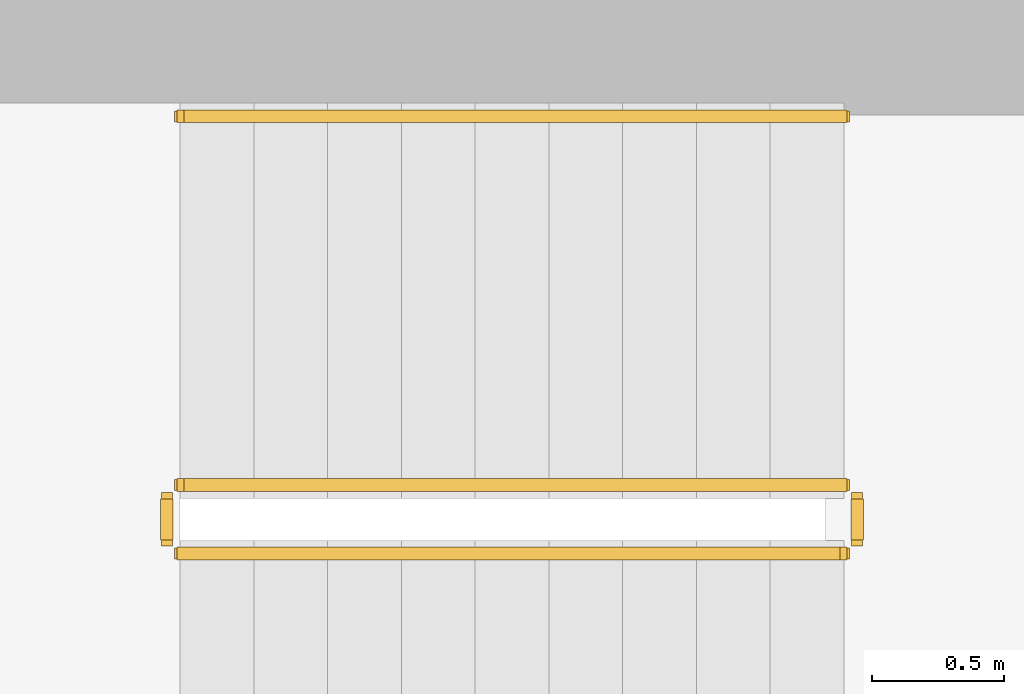
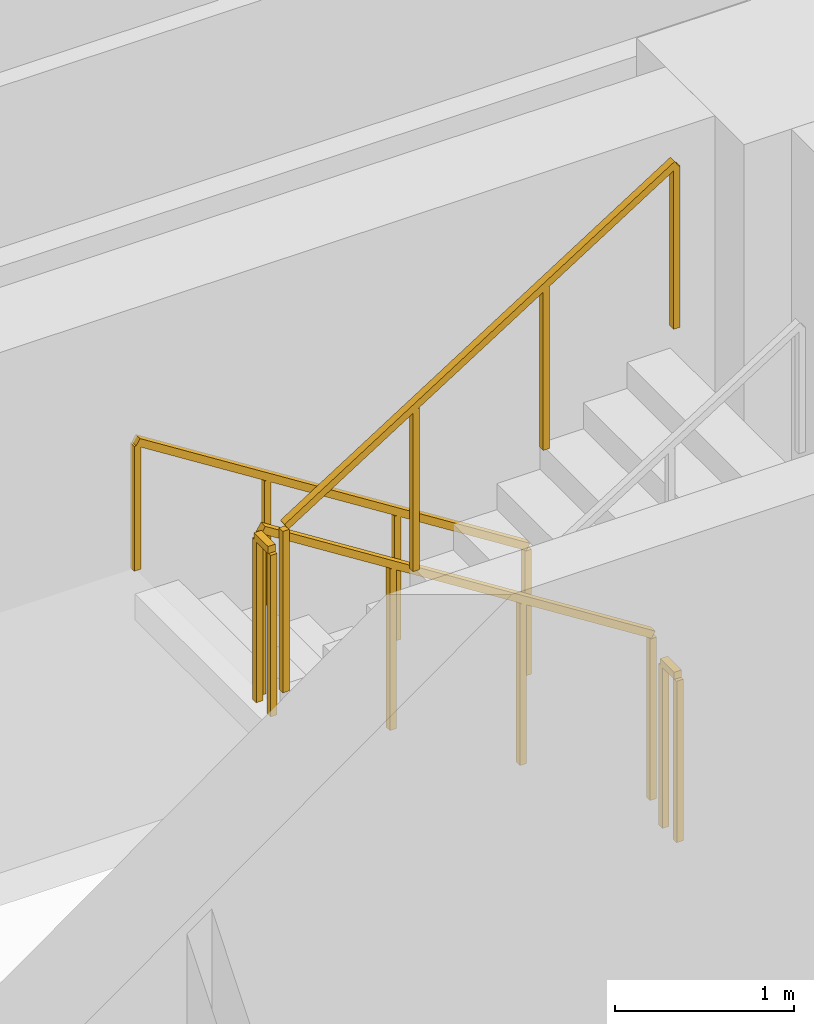
# One storey, part 11 of 12: 5 railings.
"""IFC4 building model written with IfcOpenShell, lengths in metres."""

import ifcopenshell
import ifcopenshell.guid

model = None  # the IFC model being written
_history = None  # IfcOwnerHistory: only IFC2X3 demands one
_inside = {}  # id of a spatial element -> (the spatial element, [elements in it])
_under = {}  # id of a project, library or spatial element -> (it, [spatial elements below it])
_declared = {}  # id of a project -> (the project, [libraries it declares])
_typed = {}  # id of a type object -> (the type object, [elements of that type])
_made_of = {}  # id of a material, layer set ... -> (it, [elements and type objects made of it])


def new_model(schema):
    """Start an empty IFC model of exactly this schema.

    Asked for "IFC4X3", IfcOpenShell would pick the latest addendum, in which some entities
    have other attributes; the version numbers below select the first issue.
    IFC2X3 requires an IfcOwnerHistory on every rooted entity: one is made here for all.
    """
    global model, _history
    if schema == "IFC4X3":
        model = ifcopenshell.file(schema_version=(4, 3, 0, 0))
    else:
        model = ifcopenshell.file(schema=schema)
    _inside.clear()
    _under.clear()
    _declared.clear()
    _typed.clear()
    _made_of.clear()
    _history = None
    if model.schema == "IFC2X3":
        org = make("IfcOrganization", Name="unknown")
        user = make(
            "IfcPersonAndOrganization",
            ThePerson=make("IfcPerson", FamilyName="unknown"),
            TheOrganization=org,
        )
        app = make(
            "IfcApplication",
            ApplicationDeveloper=org,
            Version="unknown",
            ApplicationFullName="unknown",
            ApplicationIdentifier="unknown",
        )
        _history = make(
            "IfcOwnerHistory",
            OwningUser=user,
            OwningApplication=app,
            ChangeAction="ADDED",
            CreationDate=0,
        )
    return model


def make(cls, **values):
    """One entity of the class cls with the attributes given. An attribute that is None is left unset."""
    return model.create_entity(
        cls, **{name: value for name, value in values.items() if value is not None}
    )


def rooted(cls, **values):
    """An entity with a GlobalId (a new one), such as an element, a storey or a relation."""
    return make(cls, GlobalId=ifcopenshell.guid.new(), OwnerHistory=_history, **values)


def si_unit(unit_type, name, prefix=None):
    """IfcSIUnit, for example si_unit("LENGTHUNIT", "METRE", prefix="MILLI")."""
    return make("IfcSIUnit", UnitType=unit_type, Prefix=prefix, Name=name)


def assignment(units):
    """IfcUnitAssignment: the units of a project."""
    return None if units is None else make("IfcUnitAssignment", Units=units)


def point(xyz):
    """IfcCartesianPoint."""
    return None if xyz is None else make("IfcCartesianPoint", Coordinates=xyz)


def direction(xyz):
    """IfcDirection."""
    return None if xyz is None else make("IfcDirection", DirectionRatios=xyz)


def frame(location, z_axis=None, x_axis=None):
    """IfcAxis2Placement3D, a coordinate frame: its origin and axes. An axis left out is left unset."""
    return make(
        "IfcAxis2Placement3D",
        Location=point(location),
        Axis=direction(z_axis),
        RefDirection=direction(x_axis),
    )


def frame_2d(location, x_axis=None):
    """IfcAxis2Placement2D, a coordinate frame in the plane: its origin and x axis."""
    return make(
        "IfcAxis2Placement2D", Location=point(location), RefDirection=direction(x_axis)
    )


def origin():
    """The frame at (0, 0, 0) with its axes left unset."""
    return frame((0.0, 0.0, 0.0))


def origin_2d():
    """The frame at (0, 0) in the plane with its x axis left unset."""
    return frame_2d((0.0, 0.0))


def place(relative_to, where):
    """IfcLocalPlacement: puts the frame where relative to a parent placement (None: the world)."""
    return make(
        "IfcLocalPlacement", PlacementRelTo=relative_to, RelativePlacement=where
    )


def context(
    kind, dimensions, precision=None, world=None, true_north=None, identifier=None
):
    """IfcGeometricRepresentationContext, for example the 3D "Model" context."""
    return make(
        "IfcGeometricRepresentationContext",
        ContextIdentifier=identifier,
        ContextType=kind,
        CoordinateSpaceDimension=dimensions,
        Precision=precision,
        WorldCoordinateSystem=world,
        TrueNorth=true_north,
    )


def subcontext(parent, identifier, kind, view, scale=None):
    """IfcGeometricRepresentationSubContext, for example "Body" below "Model"."""
    return make(
        "IfcGeometricRepresentationSubContext",
        ContextIdentifier=identifier,
        ContextType=kind,
        ParentContext=parent,
        TargetScale=scale,
        TargetView=view,
    )


def project(units=None, contexts=None):
    """IfcProject with its units and contexts."""
    return rooted(
        "IfcProject",
        Name="project",
        RepresentationContexts=contexts,
        UnitsInContext=assignment(units),
    )


def spatial(cls, under=None, at=None, **own):
    """A site, building, storey or space (cls), placed at a placement, below another one or the project."""
    s = rooted(cls, ObjectPlacement=at, **own)
    if under is not None:
        _under.setdefault(under.id(), (under, []))[1].append(s)
    return s


def profile(cls, at=None, kind="AREA", **sizes):
    """A parametric profile (cls). Its sizes go by their IFC names, for example OverallWidth=200.0."""
    return make(cls, ProfileType=kind, Position=at, **sizes)


def rectangle(**sizes):
    """IfcRectangleProfileDef."""
    return profile("IfcRectangleProfileDef", **sizes)


def extrude(swept, where, along, depth):
    """IfcExtrudedAreaSolid: the profile swept, set in the frame where, extruded along a direction by depth."""
    return make(
        "IfcExtrudedAreaSolid",
        SweptArea=swept,
        Position=where,
        ExtrudedDirection=direction(along),
        Depth=depth,
    )


def shape(context_of_items, identifier, shape_type, items):
    """IfcShapeRepresentation: the items that make up one representation, for example the "Body"."""
    return make(
        "IfcShapeRepresentation",
        ContextOfItems=context_of_items,
        RepresentationIdentifier=identifier,
        RepresentationType=shape_type,
        Items=items,
    )


def material(Name=None, Category=None):
    """IfcMaterial."""
    return make("IfcMaterial", Name=Name, Category=Category)


def made_of(thing, what):
    """Note that an element or type object is made of a material, layer set ...; save() writes the relation."""
    if what is not None:
        _made_of.setdefault(what.id(), (what, []))[1].append(thing)
    return thing


def type_object(cls, material=None, **own):
    """A type object (cls), such as IfcWallType, which elements share."""
    return made_of(rooted(cls, **own), material)


def element(
    cls,
    number,
    at=None,
    inside=None,
    cuts=None,
    type_object=None,
    material=None,
    context=None,
    identifier="Body",
    shape_type=None,
    held_by="IfcProductDefinitionShape",
    body=None,
    shapes=None,
    **own,
):
    """One element of the class cls, such as IfcWall. Its Tag is "e" and its number.

    at: its placement. inside: the storey or other place that contains it. cuts: it is an
    opening in that element (IfcRelVoidsElement). A single representation is given by context,
    identifier, shape_type and body (its items); several are given by shapes. held_by: the class
    of the entity that holds the representations. save() writes the other relations.
    """
    e = rooted(cls, Tag="e%d" % number, ObjectPlacement=at, **own)
    if body is not None:
        shapes = [shape(context, identifier, shape_type, body)]
    if shapes is not None:
        e.Representation = make(held_by, Representations=shapes)
    if inside is not None:
        _inside.setdefault(inside.id(), (inside, []))[1].append(e)
    if cuts is not None:
        rooted(
            "IfcRelVoidsElement", RelatingBuildingElement=cuts, RelatedOpeningElement=e
        )
    if type_object is not None:
        _typed.setdefault(type_object.id(), (type_object, []))[1].append(e)
    return made_of(e, material)


def aggregate(whole, parts):
    """IfcRelAggregates: a whole, such as a stair, and the parts it consists of."""
    return rooted("IfcRelAggregates", RelatingObject=whole, RelatedObjects=parts)


def save(model, path):
    """Write the relations noted so far, then the file.

    IfcRelAggregates (storeys below a building ...), IfcRelContainedInSpatialStructure (elements
    in a storey), IfcRelDefinesByType, IfcRelAssociatesMaterial and IfcRelDeclares: one each for
    every whole, place, type object, material and project.
    """
    for whole, parts in _under.values():
        aggregate(whole, parts)
    for where, things in _inside.values():
        rooted(
            "IfcRelContainedInSpatialStructure",
            RelatedElements=things,
            RelatingStructure=where,
        )
    for kind, things in _typed.values():
        rooted("IfcRelDefinesByType", RelatedObjects=things, RelatingType=kind)
    for what, things in _made_of.values():
        rooted("IfcRelAssociatesMaterial", RelatedObjects=things, RelatingMaterial=what)
    for by, libraries in _declared.values():
        rooted("IfcRelDeclares", RelatingContext=by, RelatedDefinitions=libraries)
    model.write(path)


model = new_model("IFC4")

# Units and contexts
model_context = context("Model", 3, precision=1e-05, world=origin(), true_north=direction((0.0, 1.0)))
body_context = subcontext(model_context, "Body", "Model", "MODEL_VIEW")
ifc_project = project(units=[si_unit("LENGTHUNIT", "METRE"), si_unit("AREAUNIT", "SQUARE_METRE"), si_unit("VOLUMEUNIT", "CUBIC_METRE"), si_unit("PLANEANGLEUNIT", "RADIAN"), si_unit("MASSUNIT", "GRAM", prefix="KILO")], contexts=[model_context])

# Site, building, storey
site_placement = place(None, origin())
site = spatial("IfcSite", under=ifc_project, at=site_placement, CompositionType="ELEMENT")
building_placement = place(site_placement, origin())
building = spatial("IfcBuilding", under=site, at=building_placement, Name="Zarnavel Station Tower", CompositionType="ELEMENT")
storey_placement = place(building_placement, frame((0.0, 0.0, 155.449951171875)))
storey = spatial("IfcBuildingStorey", under=building, at=storey_placement, Name="L42", CompositionType="ELEMENT", Elevation=155.449951171875)

# Railings
ifc_material_1 = material(Name="Painted Steel S355J2 Balustrade", Category="steel")
railing_type_1 = type_object("IfcRailingType", Name="GR_INT_1150", PredefinedType="GUARDRAIL", material=ifc_material_1)
railing_1_placement = place(storey_placement, frame((19.47998046875, 35.3701171875, 0.177490234375)))
element("IfcRailing", 1, at=railing_1_placement, inside=storey, type_object=railing_type_1, Name="L42 ST1 stair guard 1", PredefinedType="GUARDRAIL", context=body_context, shape_type="SweptSolid", body=[
    extrude(rectangle(XDim=0.048095703125, YDim=0.048095703125, at=origin_2d()), frame((-0.001708984375, 0.0, 1.126953125), z_axis=(-0.84456994832, 0.0, 0.535445237532), x_axis=(0.0, -1.0, 0.0)), (0.0, 0.0, 1.0), 2.979736328125),
    extrude(rectangle(XDim=0.0419921875, YDim=0.0419921875, at=origin_2d()), origin(), (0.0, 0.0, 1.0), 1.101806640625),
    extrude(rectangle(XDim=0.0419921875, YDim=0.0419921875, at=origin_2d()), frame((-0.840087890625, 0.0, 0.532470703125)), (0.0, 0.0, 1.0), 1.101806640625),
    extrude(rectangle(XDim=0.0419921875, YDim=0.0419921875, at=origin_2d()), frame((-1.679931640625, 0.0, 1.065185546875)), (0.0, 0.0, 1.0), 1.101806640625),
    extrude(rectangle(XDim=0.0419921875, YDim=0.0419921875, at=origin_2d()), frame((-2.52001953125, 0.0, 1.59765625)), (0.0, 0.0, 1.0), 1.101806640625),
])
railing_2_placement = place(storey_placement, frame((16.909912109375, 35.320068359375, 1.775146484375)))
element("IfcRailing", 2, at=railing_2_placement, inside=storey, type_object=railing_type_1, Name="L42 ST1 stair guard 2", PredefinedType="GUARDRAIL", context=body_context, shape_type="SweptSolid", body=[
    extrude(rectangle(XDim=0.048095703125, YDim=0.048095703125, at=origin_2d()), frame((0.0, -0.001953125, 1.1259765625), z_axis=(0.0, -1.0, 0.0), x_axis=(1.0, 0.0, 0.0)), (0.0, 0.0, 1.0), 0.15625),
    extrude(rectangle(XDim=0.0419921875, YDim=0.0419921875, at=origin_2d()), origin(), (0.0, 0.0, 1.0), 1.101806640625),
    extrude(rectangle(XDim=0.0419921875, YDim=0.0419921875, at=origin_2d()), frame((0.0, -0.16015625, 0.0)), (0.0, 0.0, 1.0), 1.101806640625),
])
railing_3_placement = place(storey_placement, frame((16.9599609375, 35.110107421875, 1.95263671875)))
element("IfcRailing", 3, at=railing_3_placement, inside=storey, type_object=railing_type_1, Name="L42 ST1 stair guard 3", PredefinedType="GUARDRAIL", context=body_context, shape_type="SweptSolid", body=[
    extrude(rectangle(XDim=0.048095703125, YDim=0.048095703125, at=origin_2d()), frame((0.001708984375, 0.0, 1.126953125), z_axis=(0.84460694969, 0.0, 0.535386869969), x_axis=(0.0, 1.0, 0.0)), (0.0, 0.0, 1.0), 2.979736328125),
    extrude(rectangle(XDim=0.0419921875, YDim=0.0419921875, at=origin_2d()), origin(), (0.0, 0.0, 1.0), 1.101806640625),
    extrude(rectangle(XDim=0.0419921875, YDim=0.0419921875, at=origin_2d()), frame((0.840087890625, 0.0, 0.532470703125)), (0.0, 0.0, 1.0), 1.101806640625),
    extrude(rectangle(XDim=0.0419921875, YDim=0.0419921875, at=origin_2d()), frame((1.679931640625, 0.0, 1.06494140625)), (0.0, 0.0, 1.0), 1.101806640625),
    extrude(rectangle(XDim=0.0419921875, YDim=0.0419921875, at=origin_2d()), frame((2.52001953125, 0.0, 1.597412109375)), (0.0, 0.0, 1.0), 1.101806640625),
])
railing_4_placement = place(storey_placement, frame((19.530029296875, 35.320068359375, 0.0)))
element("IfcRailing", 4, at=railing_4_placement, inside=storey, type_object=railing_type_1, Name="L42 ST1 stair guard 4", PredefinedType="GUARDRAIL", context=body_context, shape_type="SweptSolid", body=[
    extrude(rectangle(XDim=0.048095703125, YDim=0.048095703125, at=origin_2d()), frame((0.0, -0.001953125, 1.1259765625), z_axis=(0.0, -1.0, 0.0), x_axis=(1.0, 0.0, 0.0)), (0.0, 0.0, 1.0), 0.15625),
    extrude(rectangle(XDim=0.0419921875, YDim=0.0419921875, at=origin_2d()), origin(), (0.0, 0.0, 1.0), 1.101806640625),
    extrude(rectangle(XDim=0.0419921875, YDim=0.0419921875, at=origin_2d()), frame((0.0, -0.16015625, 0.0)), (0.0, 0.0, 1.0), 1.101806640625),
])
ifc_material_2 = material(Name="Brushed Stainless Steel S355J2 Handrail", Category="steel")
railing_type_2 = type_object("IfcRailingType", Name="HR_STAIR_900", PredefinedType="HANDRAIL", material=ifc_material_2)
railing_5_placement = place(storey_placement, frame((19.47998046875, 36.77001953125, 0.177490234375)))
element("IfcRailing", 5, at=railing_5_placement, inside=storey, type_object=railing_type_2, Name="L42 ST1 stair handrail 1", PredefinedType="HANDRAIL", context=body_context, shape_type="SweptSolid", body=[
    extrude(rectangle(XDim=0.048095703125, YDim=0.048095703125, at=origin_2d()), frame((-0.001708984375, 0.0, 0.876953125), z_axis=(-0.84456994832, 0.0, 0.535445237532), x_axis=(0.0, -1.0, 0.0)), (0.0, 0.0, 1.0), 2.979736328125),
    extrude(rectangle(XDim=0.0419921875, YDim=0.0419921875, at=origin_2d()), origin(), (0.0, 0.0, 1.0), 0.851806640625),
    extrude(rectangle(XDim=0.0419921875, YDim=0.0419921875, at=origin_2d()), frame((-0.840087890625, 0.0, 0.532470703125)), (0.0, 0.0, 1.0), 0.851806640625),
    extrude(rectangle(XDim=0.0419921875, YDim=0.0419921875, at=origin_2d()), frame((-1.679931640625, 0.0, 1.065185546875)), (0.0, 0.0, 1.0), 0.851806640625),
    extrude(rectangle(XDim=0.0419921875, YDim=0.0419921875, at=origin_2d()), frame((-2.52001953125, 0.0, 1.59765625)), (0.0, 0.0, 1.0), 0.851806640625),
])

save(model, "model.ifc")
